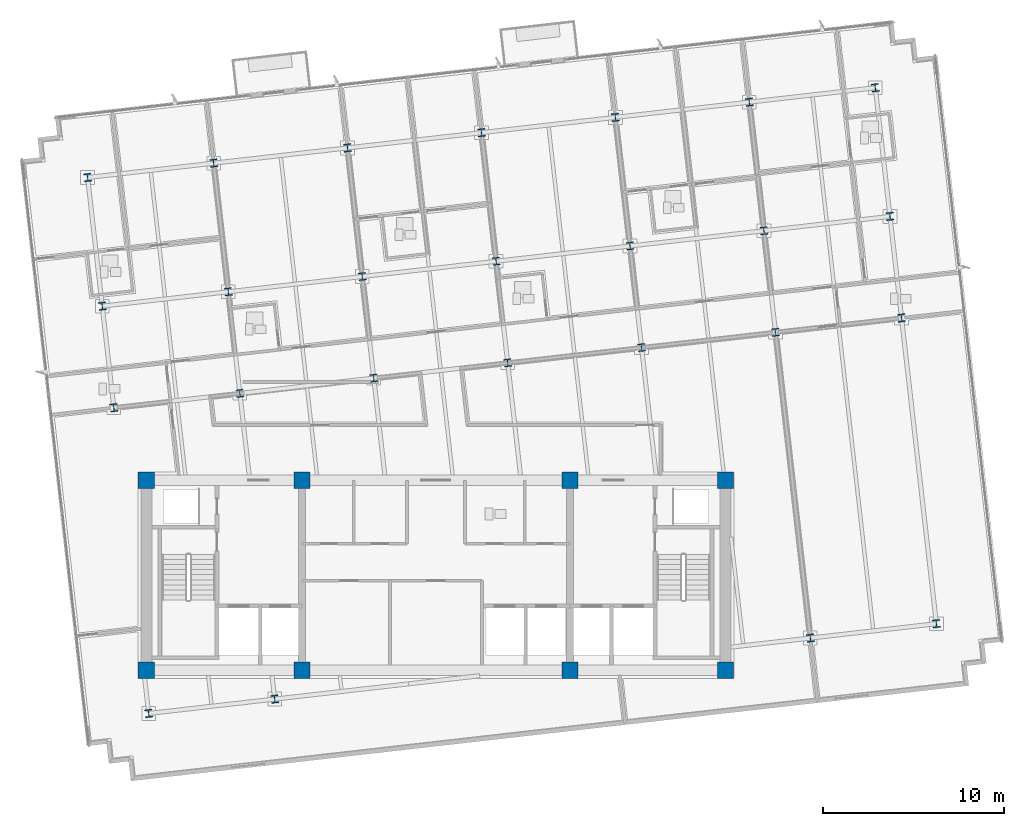
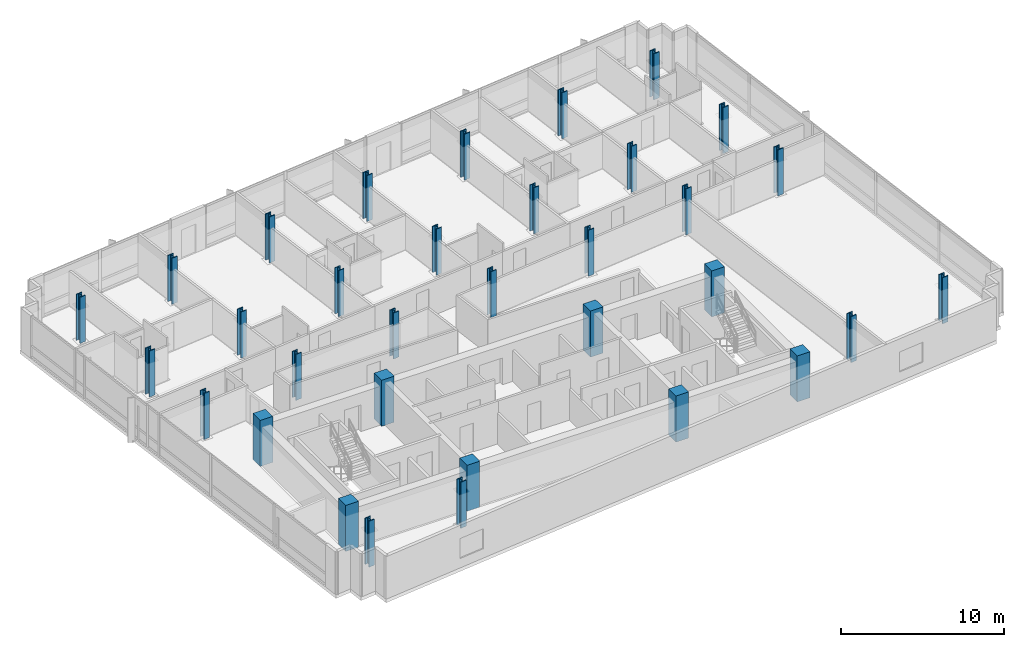
# One storey, part 1 of 17: 33 columns.
"""IFC4 building model written with IfcOpenShell, lengths in metres."""

from ifc_helpers import new_model, si_unit, direction, frame, origin, origin_2d, place, context, subcontext, project, spatial, rectangle, i_section, extrude, material, material_profile, profile_set, type_object, element, save


model = new_model("IFC4")

# Units and contexts
model_context = context("Model", 3, precision=1e-05, world=origin(), true_north=direction((0.0, 1.0)))
body_context = subcontext(model_context, "Body", "Model", "MODEL_VIEW")
ifc_project = project(units=[si_unit("LENGTHUNIT", "METRE"), si_unit("AREAUNIT", "SQUARE_METRE"), si_unit("VOLUMEUNIT", "CUBIC_METRE"), si_unit("PLANEANGLEUNIT", "RADIAN"), si_unit("MASSUNIT", "GRAM", prefix="KILO")], contexts=[model_context])

# Site, building, storey
site_placement = place(None, origin())
site = spatial("IfcSite", under=ifc_project, at=site_placement, CompositionType="ELEMENT")
building_placement = place(site_placement, origin())
building = spatial("IfcBuilding", under=site, at=building_placement, Name="Solmavex Isthmus Hotel", CompositionType="ELEMENT")
storey_placement = place(building_placement, frame((0.0, 0.0, 202.050048828125)))
storey = spatial("IfcBuildingStorey", under=building, at=storey_placement, Name="L54", CompositionType="ELEMENT", Elevation=202.050048828125)

# Columns
ifc_material_1 = material(Name="Concrete C50/60", Category="concrete")
ifc_material_profile_1 = material_profile(ifc_material_1, rectangle(XDim=0.89990234375, YDim=0.89990234375, at=origin_2d()), Name="RC900X900")
ifc_profile_set_1 = profile_set([ifc_material_profile_1], Name="Concrete C50/60")
column_type_1 = type_object("IfcColumnType", Name="COL-CC-900", PredefinedType="COLUMN", material=ifc_profile_set_1)
for number, where, z_axis, x_axis, name in (
    (1, (-16.0, -13.0, 0.0), (0.0, 0.0, 1.0), (1.0, 0.0, 0.0), "Core Pilaster CC-SW L54"),
    (2, (-7.39990234375, -13.0, 0.0), (0.0, 0.0, 1.0), (1.0, 0.0, 0.0), "Core Pilaster CC-S1 L54"),
    (3, (7.39990234375, -13.0, 0.0), (0.0, 0.0, 1.0), (1.0, 0.0, 0.0), "Core Pilaster CC-S2 L54"),
    (4, (16.0, -13.0, 0.0), (0.0, 0.0, 1.0), (1.0, 0.0, 0.0), "Core Pilaster CC-SE L54"),
    (5, (-16.0, -2.5, 0.0), (0.0, 0.0, 1.0), (1.0, 0.0, 0.0), "Core Pilaster CC-NW L54"),
    (6, (-7.39990234375, -2.5, 0.0), (0.0, 0.0, 1.0), (1.0, 0.0, 0.0), "Core Pilaster CC-N1 L54"),
    (7, (7.39990234375, -2.5, 0.0), (0.0, 0.0, 1.0), (1.0, 0.0, 0.0), "Core Pilaster CC-N2 L54"),
    (8, (16.0, -2.5, 0.0), (0.0, 0.0, 1.0), (1.0, 0.0, 0.0), "Core Pilaster CC-NE L54"),
):
    element("IfcColumn", number, at=place(storey_placement, frame(where, z_axis=z_axis, x_axis=x_axis)), inside=storey, type_object=column_type_1, Name=name, PredefinedType="COLUMN", context=body_context, shape_type="SweptSolid", body=[
        extrude(rectangle(XDim=0.89990234375, YDim=0.89990234375, at=origin_2d()), origin(), (0.0, 0.0, 1.0), 3.449951171875),
    ])
ifc_material_2 = material(Name="Steel ASTM A913 Grade 65", Category="steel")
ifc_material_profile_2 = material_profile(ifc_material_2, i_section(OverallWidth=0.412109375, OverallDepth=0.434814453125, WebThickness=0.035888671875, FlangeThickness=0.057373046875, FilletRadius=0.030517578125, at=origin_2d()), Name="W14X311")
ifc_profile_set_2 = profile_set([ifc_material_profile_2], Name="Steel ASTM A913 Grade 65")
column_type_2 = type_object("IfcColumnType", Name="COL-SC-W14X311", PredefinedType="COLUMN", material=ifc_profile_set_2)
for number, where, z_axis, x_axis, name in (
    (9, (-10.833984375, 2.30078125, 0.0), (0.0, 0.0, 1.0), (0.993571855677, 0.113203213768, 0.0), "Tower Column B4-U2V2 L54"),
    (10, (-11.473388671875, 7.912353515625, 0.0), (0.0, 0.0, 1.0), (0.993571855677, 0.113203213768, 0.0), "Tower Column B4-U2V3 L54"),
    (11, (-3.435791015625, 3.1435546875, 0.0), (0.0, 0.0, 1.0), (0.993571855677, 0.113203213768, 0.0), "Tower Column B4-U3V2 L54"),
    (12, (-4.0751953125, 8.75537109375, 0.0), (0.0, 0.0, 1.0), (0.993571855677, 0.113203213768, 0.0), "Tower Column B4-U3V3 L54"),
    (13, (3.962158203125, 3.986572265625, 0.0), (0.0, 0.0, 1.0), (0.993571855677, 0.113203213768, 0.0), "Tower Column B4-U4V2 L54"),
    (14, (3.322998046875, 9.59814453125, 0.0), (0.0, 0.0, 1.0), (0.993571855677, 0.113203213768, 0.0), "Tower Column B4-U4V3 L54"),
    (15, (11.3603515625, 4.829345703125, 0.0), (0.0, 0.0, 1.0), (0.993571855677, 0.113203213768, 0.0), "Tower Column B4-U5V2 L54"),
    (16, (10.720947265625, 10.441162109375, 0.0), (0.0, 0.0, 1.0), (0.993571855677, 0.113203213768, 0.0), "Tower Column B4-U5V3 L54"),
    (17, (18.758544921875, 5.67236328125, 0.0), (0.0, 0.0, 1.0), (0.993571855677, 0.113203213768, 0.0), "Tower Column B4-U6V2 L54"),
    (18, (18.119140625, 11.283935546875, 0.0), (0.0, 0.0, 1.0), (0.993571855677, 0.113203213768, 0.0), "Tower Column B4-U6V3 L54"),
):
    element("IfcColumn", number, at=place(storey_placement, frame(where, z_axis=z_axis, x_axis=x_axis)), inside=storey, type_object=column_type_2, Name=name, PredefinedType="COLUMN", context=body_context, shape_type="SweptSolid", body=[
        extrude(i_section(OverallWidth=0.412109375, OverallDepth=0.434814453125, WebThickness=0.035888671875, FlangeThickness=0.057373046875, FilletRadius=0.030517578125, at=origin_2d()), origin(), (0.0, 0.0, 1.0), 3.449951171875),
    ])
ifc_material_profile_3 = material_profile(ifc_material_2, i_section(OverallWidth=0.41845703125, OverallDepth=0.455078125, WebThickness=0.0419921875, FlangeThickness=0.067626953125, FilletRadius=0.030517578125, at=origin_2d()), Name="W14X370")
ifc_profile_set_3 = profile_set([ifc_material_profile_3], Name="Steel ASTM A913 Grade 65")
column_type_3 = type_object("IfcColumnType", Name="COL-SC-W14X370", PredefinedType="COLUMN", material=ifc_profile_set_3)
for number, where, z_axis, x_axis, name in (
    (19, (-15.87255859375, -15.38330078125, 0.0), (0.0, 0.0, 1.0), (0.993571855677, 0.113203213768, 0.0), "Tower Column B4-U1V1 L54"),
    (20, (-17.796875, 1.50732421875, 0.0), (0.0, 0.0, 1.0), (0.993571855677, 0.113203213768, 0.0), "Tower Column B4-U1V2 L54"),
    (21, (-18.436279296875, 7.119140625, 0.0), (0.0, 0.0, 1.0), (0.993571855677, 0.113203213768, 0.0), "Tower Column B4-U1V3 L54"),
    (22, (-19.245849609375, 14.22509765625, 0.0), (0.0, 0.0, 1.0), (0.993571855677, 0.113203213768, 0.0), "Tower Column B4-U1V4 L54"),
    (23, (-8.909423828125, -14.590087890625, 0.0), (0.0, 0.0, 1.0), (0.993571855677, 0.113203213768, 0.0), "Tower Column B4-U2V1 L54"),
    (24, (-12.282958984375, 15.018310546875, 0.0), (0.0, 0.0, 1.0), (0.993571855677, 0.113203213768, 0.0), "Tower Column B4-U2V4 L54"),
    (25, (-4.884765625, 15.861328125, 0.0), (0.0, 0.0, 1.0), (0.993571855677, 0.113203213768, 0.0), "Tower Column B4-U3V4 L54"),
    (26, (2.51318359375, 16.7041015625, 0.0), (0.0, 0.0, 1.0), (0.993571855677, 0.113203213768, 0.0), "Tower Column B4-U4V4 L54"),
    (27, (9.911376953125, 17.547119140625, 0.0), (0.0, 0.0, 1.0), (0.993571855677, 0.113203213768, 0.0), "Tower Column B4-U5V4 L54"),
    (28, (20.68310546875, -11.218505859375, 0.0), (0.0, 0.0, 1.0), (0.993571855677, 0.113203213768, 0.0), "Tower Column B4-U6V1 L54"),
    (29, (17.3095703125, 18.39013671875, 0.0), (0.0, 0.0, 1.0), (0.993571855677, 0.113203213768, 0.0), "Tower Column B4-U6V4 L54"),
    (30, (27.64599609375, -10.425048828125, 0.0), (0.0, 0.0, 1.0), (0.993571855677, 0.113203213768, 0.0), "Tower Column B4-U7V1 L54"),
    (31, (25.721435546875, 6.465576171875, 0.0), (0.0, 0.0, 1.0), (0.993571855677, 0.113203213768, 0.0), "Tower Column B4-U7V2 L54"),
    (32, (25.08203125, 12.077392578125, 0.0), (0.0, 0.0, 1.0), (0.993571855677, 0.113203213768, 0.0), "Tower Column B4-U7V3 L54"),
    (33, (24.2724609375, 19.183349609375, 0.0), (0.0, 0.0, 1.0), (0.993571855677, 0.113203213768, 0.0), "Tower Column B4-U7V4 L54"),
):
    element("IfcColumn", number, at=place(storey_placement, frame(where, z_axis=z_axis, x_axis=x_axis)), inside=storey, type_object=column_type_3, Name=name, PredefinedType="COLUMN", context=body_context, shape_type="SweptSolid", body=[
        extrude(i_section(OverallWidth=0.41845703125, OverallDepth=0.455078125, WebThickness=0.0419921875, FlangeThickness=0.067626953125, FilletRadius=0.030517578125, at=origin_2d()), origin(), (0.0, 0.0, 1.0), 3.449951171875),
    ])

save(model, "model.ifc")
